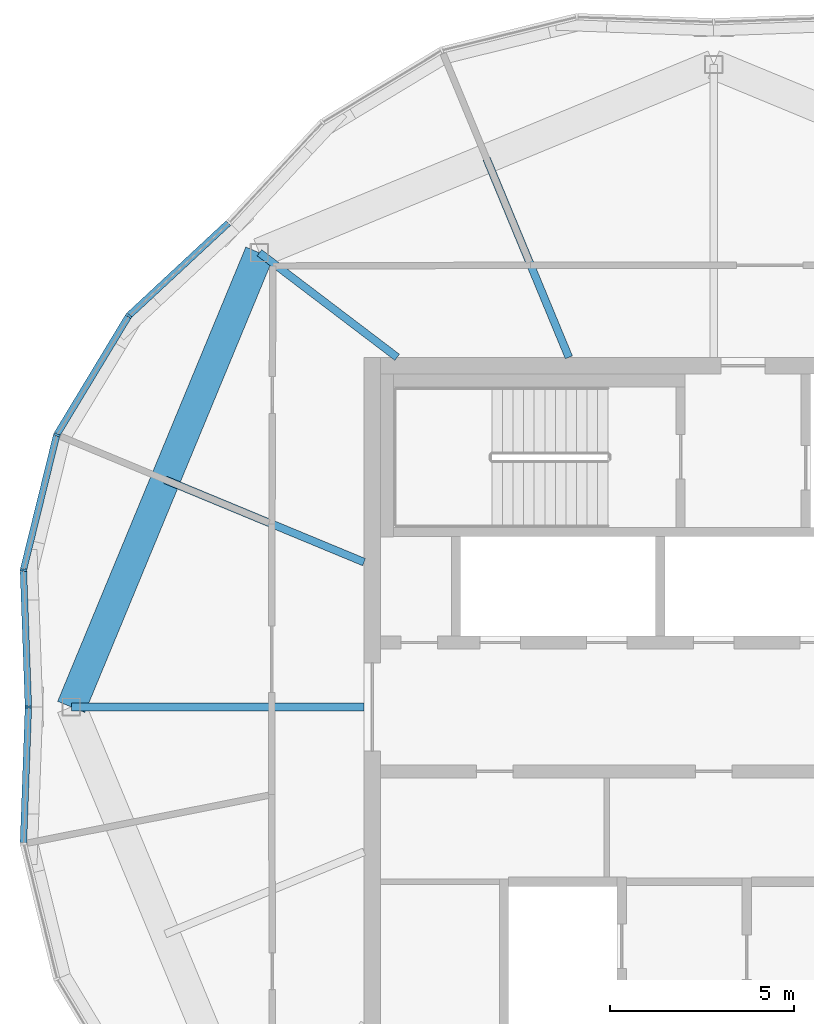
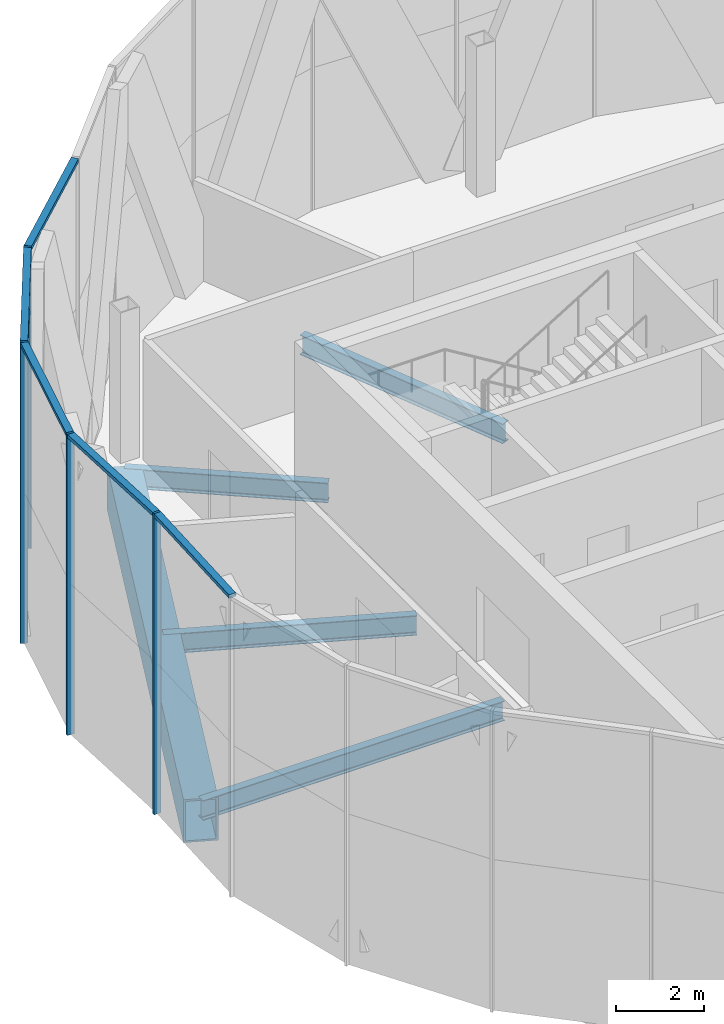
# One storey, part 5 of 24: 9 members, 5 beams, 2 elements without a shape of their own.
"""IFC4 building model written with IfcOpenShell, lengths in metres."""

from ifc_helpers import new_model, si_unit, direction, frame, origin, origin_2d, place, context, subcontext, project, spatial, rectangle, hollow_rectangle, i_section, extrude, material, material_profile, profile_set, type_object, element, aggregate, save


model = new_model("IFC4")

# Units and contexts
model_context = context("Model", 3, precision=1e-05, world=origin(), true_north=direction((0.0, 1.0)))
body_context = subcontext(model_context, "Body", "Model", "MODEL_VIEW")
ifc_project = project(units=[si_unit("LENGTHUNIT", "METRE"), si_unit("AREAUNIT", "SQUARE_METRE"), si_unit("VOLUMEUNIT", "CUBIC_METRE"), si_unit("PLANEANGLEUNIT", "RADIAN"), si_unit("MASSUNIT", "GRAM", prefix="KILO")], contexts=[model_context])

# Site, building, storey
site_placement = place(None, origin())
site = spatial("IfcSite", under=ifc_project, at=site_placement, CompositionType="ELEMENT")
building_placement = place(site_placement, origin())
building = spatial("IfcBuilding", under=site, at=building_placement, Name="Ogive Gate Towers", CompositionType="ELEMENT")
storey_placement = place(building_placement, frame((0.0, 0.0, 277.199951171875)))
storey = spatial("IfcBuildingStorey", under=building, at=storey_placement, Name="L65", CompositionType="ELEMENT", Elevation=277.199951171875)

# Beams
ifc_material_1 = material(Name="Steel SM460", Category="steel")
ifc_material_profile_1 = material_profile(ifc_material_1, hollow_rectangle(XDim=0.800048828125, YDim=1.199951171875, WallThickness=0.050048828125, at=origin_2d()), Name="BX 1200x800x50")
ifc_profile_set_1 = profile_set([ifc_material_profile_1], Name="Steel SM460")
beam_type_1 = type_object("IfcBeamType", Name="Edge girder BX 1200x800x50", PredefinedType="BEAM", material=ifc_profile_set_1)
beam_1_placement = place(storey_placement, frame((-48.342529296875, 12.342529296875, -0.89990234375), z_axis=(-0.382690191996, -0.923876732551, 0.0), x_axis=(0.923876732551, -0.382690191996, 0.0)))
element("IfcBeam", 1, at=beam_1_placement, inside=storey, type_object=beam_type_1, Name="T1/L65/SBM023", PredefinedType="BEAM", context=body_context, shape_type="SweptSolid", body=[
    extrude(hollow_rectangle(XDim=0.800048828125, YDim=1.199951171875, WallThickness=0.050048828125, at=origin_2d()), origin(), (0.0, 0.0, 1.0), 13.359619140625),
])
ifc_material_2 = material(Name="Steel SM355", Category="steel")
ifc_material_profile_2 = material_profile(ifc_material_2, i_section(OverallWidth=0.2099609375, OverallDepth=0.550048828125, WebThickness=0.010986328125, FlangeThickness=0.01708984375, FilletRadius=0.02392578125, at=origin_2d()), Name="IPE 550")
ifc_profile_set_2 = profile_set([ifc_material_profile_2], Name="Steel SM355")
beam_type_2 = type_object("IfcBeamType", Name="Radial floor beam IPE 550", PredefinedType="BEAM", material=ifc_profile_set_2)
beam_2_placement = place(storey_placement, frame((-39.93505859375, 9.5, -0.574951171875), z_axis=(-0.382701102209, 0.923872213225, 0.0), x_axis=(-0.923872213225, -0.382701102209, 0.0)))
element("IfcBeam", 2, at=beam_2_placement, inside=storey, type_object=beam_type_2, Name="T1/L65/SBM012", PredefinedType="BEAM", context=body_context, shape_type="SweptSolid", body=[
    extrude(i_section(OverallWidth=0.2099609375, OverallDepth=0.550048828125, WebThickness=0.010986328125, FlangeThickness=0.01708984375, FilletRadius=0.02392578125, at=origin_2d()), origin(), (0.0, 0.0, 1.0), 5.843505859375),
])
beam_3_placement = place(storey_placement, frame((-44.60009765625, 9.5, -0.574951171875), z_axis=(-0.796338347087, 0.604851417257, 0.0), x_axis=(-0.604851417257, -0.796338347087, 0.0)))
element("IfcBeam", 3, at=beam_3_placement, inside=storey, type_object=beam_type_2, Name="T1/L65/SBM013", PredefinedType="BEAM", context=body_context, shape_type="SweptSolid", body=[
    extrude(i_section(OverallWidth=0.2099609375, OverallDepth=0.550048828125, WebThickness=0.010986328125, FlangeThickness=0.01708984375, FilletRadius=0.02392578125, at=origin_2d()), origin(), (0.0, 0.0, 1.0), 4.699462890625),
])
beam_4_placement = place(storey_placement, frame((-45.5, 3.93505859375, -0.574951171875), z_axis=(-0.923872213225, 0.382701102209, 0.0), x_axis=(-0.382701102209, -0.923872213225, 0.0)))
element("IfcBeam", 4, at=beam_4_placement, inside=storey, type_object=beam_type_2, Name="T1/L65/SBM014", PredefinedType="BEAM", context=body_context, shape_type="SweptSolid", body=[
    extrude(i_section(OverallWidth=0.2099609375, OverallDepth=0.550048828125, WebThickness=0.010986328125, FlangeThickness=0.01708984375, FilletRadius=0.02392578125, at=origin_2d()), origin(), (0.0, 0.0, 1.0), 5.843505859375),
])
beam_5_placement = place(storey_placement, frame((-45.5, 0.0, -0.574951171875), z_axis=(-1.0, 0.0, 0.0), x_axis=(0.0, -1.0, 0.0)))
element("IfcBeam", 5, at=beam_5_placement, inside=storey, type_object=beam_type_2, Name="T1/L65/SBM015", PredefinedType="BEAM", context=body_context, shape_type="SweptSolid", body=[
    extrude(i_section(OverallWidth=0.2099609375, OverallDepth=0.550048828125, WebThickness=0.010986328125, FlangeThickness=0.01708984375, FilletRadius=0.02392578125, at=origin_2d()), origin(), (0.0, 0.0, 1.0), 7.955078125),
])

# Curtain wall, members
ifc_material_3 = material(Name="Pale metal aluminium", Category="aluminium")
curtain_wall_type = type_object("IfcCurtainWallType", Name="Tower unitised wall, high zone", PredefinedType="NOTDEFINED", material=ifc_material_3)
curtain_wall_1_placement = place(storey_placement, origin())
curtain_wall_1 = element("IfcCurtainWall", 6, at=curtain_wall_1_placement, inside=storey, type_object=curtain_wall_type, Name="CW2 T1 ECW06", PredefinedType="NOTDEFINED")
ifc_material_profile_3 = material_profile(ifc_material_3, rectangle(XDim=0.179931640625, YDim=0.06005859375, at=origin_2d()), Name="60 x 180 aluminium box")
ifc_profile_set_3 = profile_set([ifc_material_profile_3], Name="Pale metal aluminium")
member_type_1 = type_object("IfcMemberType", Name="Tower unitised wall, high zone mullion 60 x 180", PredefinedType="MULLION", material=ifc_profile_set_3)
member_1_placement = place(storey_placement, frame((-54.6201171875, -0.00048828125, -0.300048828125), z_axis=(0.0, 0.0, 1.0), x_axis=(0.999341123963, 0.036294875066, 0.0)))
member_1 = element("IfcMember", 7, at=member_1_placement, type_object=member_type_1, Name="CW2 mullion", PredefinedType="MULLION", context=body_context, shape_type="SweptSolid", body=[
    extrude(rectangle(XDim=0.179931640625, YDim=0.06005859375, at=origin_2d()), origin(), (0.0, 0.0, 1.0), 8.400146484375),
])
member_2_placement = place(storey_placement, frame((-54.755126953125, 3.719970703125, -0.300048828125), z_axis=(0.0, 0.0, 1.0), x_axis=(0.99474400054, -0.102393229213, 0.0)))
member_2 = element("IfcMember", 8, at=member_2_placement, type_object=member_type_1, Name="CW2 mullion", PredefinedType="MULLION", context=body_context, shape_type="SweptSolid", body=[
    extrude(rectangle(XDim=0.179931640625, YDim=0.06005859375, at=origin_2d()), origin(), (0.0, 0.0, 1.0), 8.400146484375),
])
member_3_placement = place(storey_placement, frame((-53.850341796875, 7.393798828125, -0.300048828125), z_axis=(0.0, 0.0, 1.0), x_axis=(0.923879532511, -0.382683432365, 0.0)))
member_3 = element("IfcMember", 9, at=member_3_placement, type_object=member_type_1, Name="CW2 mullion", PredefinedType="MULLION", context=body_context, shape_type="SweptSolid", body=[
    extrude(rectangle(XDim=0.179931640625, YDim=0.06005859375, at=origin_2d()), origin(), (0.0, 0.0, 1.0), 8.400146484375),
])
member_4_placement = place(storey_placement, frame((-51.892333984375, 10.63134765625, -0.300048828125), z_axis=(0.0, 0.0, 1.0), x_axis=(0.775782162127, -0.631000821652, 0.0)))
member_4 = element("IfcMember", 10, at=member_4_placement, type_object=member_type_1, Name="CW2 mullion", PredefinedType="MULLION", context=body_context, shape_type="SweptSolid", body=[
    extrude(rectangle(XDim=0.179931640625, YDim=0.06005859375, at=origin_2d()), origin(), (0.0, 0.0, 1.0), 8.400146484375),
])
ifc_material_profile_4 = material_profile(ifc_material_3, rectangle(XDim=0.179931640625, YDim=0.10009765625, at=origin_2d()), Name="100 x 180 aluminium box")
ifc_profile_set_4 = profile_set([ifc_material_profile_4], Name="Pale metal aluminium")
member_type_2 = type_object("IfcMemberType", Name="Tower unitised wall, high zone transom 100 x 180", PredefinedType="USERDEFINED", material=ifc_profile_set_4)
member_5_placement = place(storey_placement, frame((-54.62109375, 0.029541015625, 8.050048828125), z_axis=(-0.036338407418, 0.999339541971, 0.0), x_axis=(-0.999339541971, -0.036338407418, 0.0)))
member_5 = element("IfcMember", 11, at=member_5_placement, type_object=member_type_2, Name="CW2 transom", ObjectType="TRANSOM", PredefinedType="USERDEFINED", context=body_context, shape_type="SweptSolid", body=[
    extrude(rectangle(XDim=0.179931640625, YDim=0.10009765625, at=origin_2d()), origin(), (0.0, 0.0, 1.0), 3.66162109375),
])
member_6_placement = place(storey_placement, frame((-54.747802734375, 3.75048828125, 8.050048828125), z_axis=(0.239106612946, 0.970993320083, 0.0), x_axis=(-0.970993320083, 0.239106612946, 0.0)))
member_6 = element("IfcMember", 12, at=member_6_placement, type_object=member_type_2, Name="CW2 transom", ObjectType="TRANSOM", PredefinedType="USERDEFINED", context=body_context, shape_type="SweptSolid", body=[
    extrude(rectangle(XDim=0.179931640625, YDim=0.10009765625, at=origin_2d()), origin(), (0.0, 0.0, 1.0), 3.720703125),
])
member_7_placement = place(storey_placement, frame((-53.834228515625, 7.4208984375, 8.050048828125), z_axis=(0.51753219803, 0.855663733018, 0.0), x_axis=(-0.855663733018, 0.51753219803, 0.0)))
member_7 = element("IfcMember", 13, at=member_7_placement, type_object=member_type_2, Name="CW2 transom", ObjectType="TRANSOM", PredefinedType="USERDEFINED", context=body_context, shape_type="SweptSolid", body=[
    extrude(rectangle(XDim=0.179931640625, YDim=0.10009765625, at=origin_2d()), origin(), (0.0, 0.0, 1.0), 3.720703125),
])
member_8_placement = place(storey_placement, frame((-51.869384765625, 10.65283203125, 8.050048828125), z_axis=(0.732311225366, 0.680970094206, 0.0), x_axis=(-0.680970094206, 0.732311225366, 0.0)))
member_8 = element("IfcMember", 14, at=member_8_placement, type_object=member_type_2, Name="CW2 transom", ObjectType="TRANSOM", PredefinedType="USERDEFINED", context=body_context, shape_type="SweptSolid", body=[
    extrude(rectangle(XDim=0.179931640625, YDim=0.10009765625, at=origin_2d()), origin(), (0.0, 0.0, 1.0), 3.66162109375),
])
aggregate(curtain_wall_1, [member_1, member_2, member_5, member_3, member_6, member_4, member_7, member_8])

# Curtain wall, member
curtain_wall_2_placement = place(storey_placement, origin())
curtain_wall_2 = element("IfcCurtainWall", 15, at=curtain_wall_2_placement, inside=storey, type_object=curtain_wall_type, Name="CW2 T1 ECW07", PredefinedType="NOTDEFINED")
member_9_placement = place(storey_placement, frame((-54.754150390625, -3.688720703125, 8.050048828125), z_axis=(0.036338407418, 0.999339541971, 0.0), x_axis=(-0.999339541971, 0.036338407418, 0.0)))
member_9 = element("IfcMember", 16, at=member_9_placement, type_object=member_type_2, Name="CW2 transom", ObjectType="TRANSOM", PredefinedType="USERDEFINED", context=body_context, shape_type="SweptSolid", body=[
    extrude(rectangle(XDim=0.179931640625, YDim=0.10009765625, at=origin_2d()), origin(), (0.0, 0.0, 1.0), 3.66162109375),
])
aggregate(curtain_wall_2, [member_9])

save(model, "model.ifc")
